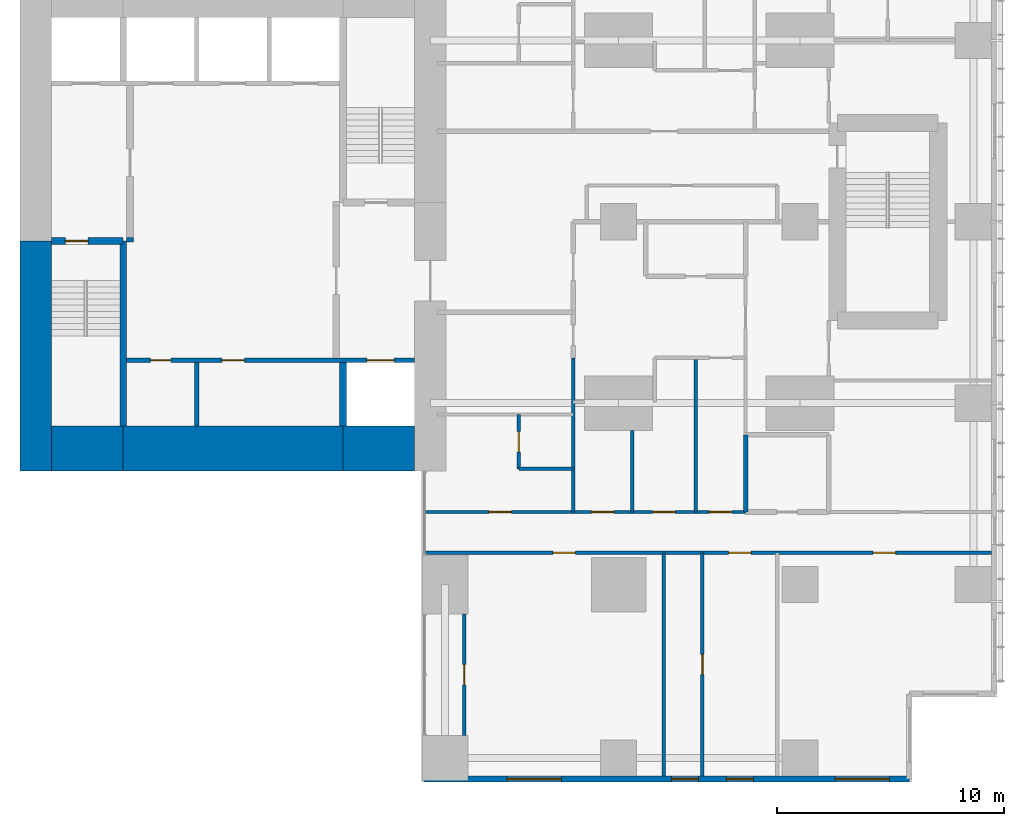
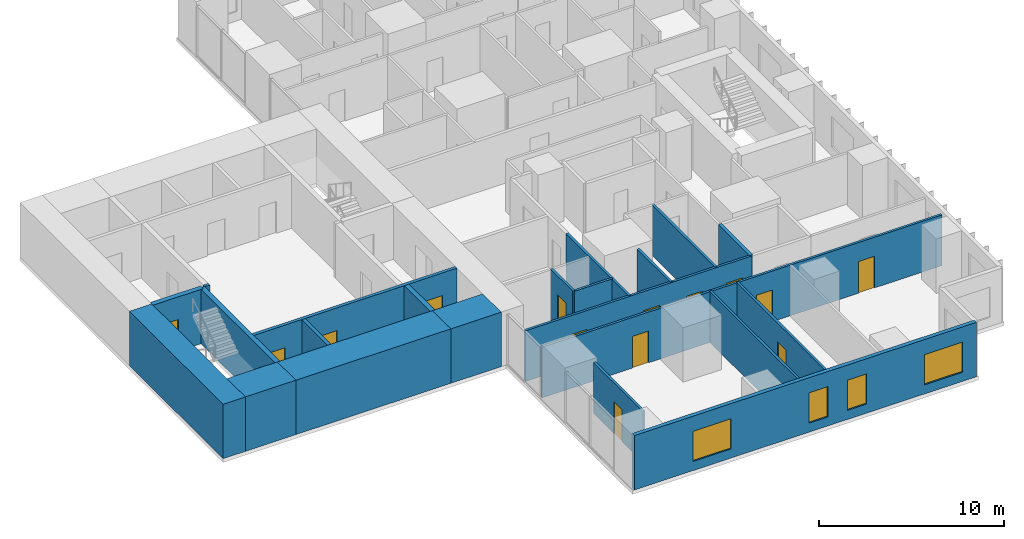
# One storey, part 7 of 12: 22 walls, 14 doors, 4 windows, 18 openings.
"""IFC4 building model written with IfcOpenShell, lengths in metres."""

from ifc_helpers import new_model, si_unit, direction, frame, frame_2d, origin, place, context, subcontext, project, spatial, rectangle, extrude, material, layer, layer_set, type_object, element, fill, save


model = new_model("IFC4")

# Units and contexts
model_context = context("Model", 3, precision=1e-05, world=origin(), true_north=direction((0.0, 1.0)))
body_context = subcontext(model_context, "Body", "Model", "MODEL_VIEW")
ifc_project = project(units=[si_unit("LENGTHUNIT", "METRE"), si_unit("AREAUNIT", "SQUARE_METRE"), si_unit("VOLUMEUNIT", "CUBIC_METRE"), si_unit("PLANEANGLEUNIT", "RADIAN"), si_unit("MASSUNIT", "GRAM", prefix="KILO")], contexts=[model_context])

# Site, building, storey
site_placement = place(None, origin())
site = spatial("IfcSite", under=ifc_project, at=site_placement, CompositionType="ELEMENT")
building_placement = place(site_placement, origin())
building = spatial("IfcBuilding", under=site, at=building_placement, Name="Cleftline Residences", CompositionType="ELEMENT")
storey_placement = place(building_placement, frame((0.0, 0.0, 252.0)))
storey = spatial("IfcBuildingStorey", under=building, at=storey_placement, Name="L66", CompositionType="ELEMENT", Elevation=252.0)

# Walls
ifc_material_1 = material(Name="Concrete B70", Category="concrete")
ifc_layer_1 = layer(ifc_material_1, 1.39990234375)
ifc_layer_set_1 = layer_set([ifc_layer_1], Name="CORE WALL 1400")
wall_type_1 = type_object("IfcWallType", Name="CORE WALL 1400", PredefinedType="SHEAR", material=ifc_layer_set_1)
wall_1_placement = place(storey_placement, frame((24.300048828125, 13.0, 0.0), z_axis=(0.0, 0.0, 1.0), x_axis=(0.0, 1.0, 0.0)))
element("IfcWall", 1, at=wall_1_placement, inside=storey, type_object=wall_type_1, Name="Core wall W0", PredefinedType="SHEAR", context=body_context, shape_type="SweptSolid", body=[
    extrude(rectangle(XDim=10.14990234375, YDim=1.39990234375, at=frame_2d((5.074951171875, 0.0))), origin(), (0.0, 0.0, 1.0), 3.60009765625),
])
ifc_material_2 = material(Name="Concrete B70", Category="concrete")
ifc_layer_2 = layer(ifc_material_2, 2.0)
ifc_layer_set_2 = layer_set([ifc_layer_2], Name="CORE WALL 2000")
wall_type_2 = type_object("IfcWallType", Name="CORE WALL 2000", PredefinedType="SHEAR", material=ifc_layer_set_2)
wall_2_placement = place(storey_placement, frame((25.0, 14.0, 0.0), z_axis=(0.0, 0.0, 1.0), x_axis=(1.0, 0.0, 0.0)))
element("IfcWall", 2, at=wall_2_placement, inside=storey, type_object=wall_type_2, Name="Core wall S1", PredefinedType="SHEAR", context=body_context, shape_type="SweptSolid", body=[
    extrude(rectangle(XDim=3.14990234375, YDim=2.0, at=frame_2d((1.574951171875, 0.0))), origin(), (0.0, 0.0, 1.0), 3.60009765625),
])
wall_3_placement = place(storey_placement, frame((28.14990234375, 14.0, 0.0), z_axis=(0.0, 0.0, 1.0), x_axis=(1.0, 0.0, 0.0)))
element("IfcWall", 3, at=wall_3_placement, inside=storey, type_object=wall_type_2, Name="Core wall S2", PredefinedType="SHEAR", context=body_context, shape_type="SweptSolid", body=[
    extrude(rectangle(XDim=9.7001953125, YDim=2.0, at=frame_2d((4.85009765625, 0.0))), origin(), (0.0, 0.0, 1.0), 3.60009765625),
])
wall_4_placement = place(storey_placement, frame((37.85009765625, 14.0, 0.0), z_axis=(0.0, 0.0, 1.0), x_axis=(1.0, 0.0, 0.0)))
element("IfcWall", 4, at=wall_4_placement, inside=storey, type_object=wall_type_2, Name="Core wall S3", PredefinedType="SHEAR", context=body_context, shape_type="SweptSolid", body=[
    extrude(rectangle(XDim=3.14990234375, YDim=2.0, at=frame_2d((1.574951171875, 0.0))), origin(), (0.0, 0.0, 1.0), 3.60009765625),
])
ifc_material_3 = material(Name="Concrete B70", Category="concrete")
ifc_layer_3 = layer(ifc_material_3, 0.300048828125)
ifc_layer_set_3 = layer_set([ifc_layer_3], Name="CORE WALL 300")
wall_type_3 = type_object("IfcWallType", Name="CORE WALL 300", PredefinedType="SHEAR", material=ifc_layer_set_3)
wall_5_placement = place(storey_placement, frame((28.14990234375, 15.0, 0.0), z_axis=(0.0, 0.0, 1.0), x_axis=(0.0, 1.0, 0.0)))
element("IfcWall", 5, at=wall_5_placement, inside=storey, type_object=wall_type_3, Name="Core wall SA-E", PredefinedType="SHEAR", context=body_context, shape_type="SweptSolid", body=[
    extrude(rectangle(XDim=8.14990234375, YDim=0.300048828125, at=frame_2d((4.074951171875, 0.0))), origin(), (0.0, 0.0, 1.0), 3.60009765625),
])

# Wall, opening, door
wall_6_placement = place(storey_placement, frame((25.0, 23.14990234375, 0.0), z_axis=(0.0, 0.0, 1.0), x_axis=(1.0, 0.0, 0.0)))
wall_6 = element("IfcWall", 6, at=wall_6_placement, inside=storey, type_object=wall_type_3, Name="Core wall SA-N", PredefinedType="SHEAR", context=body_context, shape_type="SweptSolid", body=[
    extrude(rectangle(XDim=3.14990234375, YDim=0.300048828125, at=frame_2d((1.574951171875, 0.0))), origin(), (0.0, 0.0, 1.0), 3.60009765625),
])
opening_1_placement = place(wall_6_placement, frame((0.60009765625, 0.0, 0.0)))
opening_1 = element("IfcOpeningElement", 7, at=opening_1_placement, cuts=wall_6, Name="Opening D5", PredefinedType="OPENING", context=body_context, shape_type="SweptSolid", body=[
    extrude(rectangle(XDim=1.0, YDim=2.10009765625, at=frame_2d((0.5, 1.050048828125))), frame((0.0, 0.159912109375, 0.0), z_axis=(0.0, -1.0, 0.0), x_axis=(1.0, 0.0, 0.0)), (0.0, 0.0, 1.0), 0.320068359375),
])
ifc_material_4 = material(Name="Steel", Category="steel")
door_type_1 = type_object("IfcDoorType", Name="STAIR DOOR 1000X2100", OperationType="SINGLE_SWING_LEFT", PredefinedType="DOOR", material=ifc_material_4)
door_1_placement = place(opening_1_placement, origin())
door_1 = element("IfcDoor", 8, at=door_1_placement, inside=storey, type_object=door_type_1, Name="Stair A door", OperationType="SINGLE_SWING_RIGHT", OverallHeight=2.10009765625, OverallWidth=1.0, PredefinedType="DOOR", context=body_context, shape_type="SweptSolid", body=[
    extrude(rectangle(XDim=1.0, YDim=2.10009765625, at=frame_2d((0.5, 1.050048828125))), frame((0.0, 0.02490234375, 0.0), z_axis=(0.0, -1.0, 0.0), x_axis=(1.0, 0.0, 0.0)), (0.0, 0.0, 1.0), 0.050048828125),
])
fill(opening_1, door_1)

# Wall
wall_7_placement = place(storey_placement, frame((37.85009765625, 15.0, 0.0), z_axis=(0.0, 0.0, 1.0), x_axis=(0.0, 1.0, 0.0)))
element("IfcWall", 9, at=wall_7_placement, inside=storey, type_object=wall_type_3, Name="Lift shaft wall", PredefinedType="SHEAR", context=body_context, shape_type="SweptSolid", body=[
    extrude(rectangle(XDim=2.800048828125, YDim=0.300048828125, at=frame_2d((1.39990234375, 0.0))), origin(), (0.0, 0.0, 1.0), 3.60009765625),
])

# Wall, openings, windows
ifc_material_5 = material(Name="Rendered reinforced concrete blockwork", Category="masonry")
ifc_layer_4 = layer(ifc_material_5, 0.25)
ifc_layer_set_4 = layer_set([ifc_layer_4], Name="EXTERNAL WALL 250")
wall_type_4 = type_object("IfcWallType", Name="EXTERNAL WALL 250", PredefinedType="SOLIDWALL", material=ifc_layer_set_4)
wall_8_placement = place(storey_placement, frame((41.425048828125, -0.574951171875, 0.0), z_axis=(0.0, 0.0, 1.0), x_axis=(1.0, 0.0, 0.0)))
wall_8 = element("IfcWall", 10, at=wall_8_placement, inside=storey, type_object=wall_type_4, Name="External wall", PredefinedType="SOLIDWALL", context=body_context, shape_type="SweptSolid", body=[
    extrude(rectangle(XDim=21.39990234375, YDim=0.25, at=frame_2d((10.699951171875, 0.0))), origin(), (0.0, 0.0, 1.0), 3.60009765625),
])
opening_2_placement = place(wall_8_placement, frame((3.64990234375, 0.0, 0.60009765625)))
opening_2 = element("IfcOpeningElement", 11, at=opening_2_placement, cuts=wall_8, Name="Opening W6", PredefinedType="OPENING", context=body_context, shape_type="SweptSolid", body=[
    extrude(rectangle(XDim=2.39990234375, YDim=2.0, at=frame_2d((1.199951171875, 1.0))), frame((0.0, 0.135009765625, 0.0), z_axis=(0.0, -1.0, 0.0), x_axis=(1.0, 0.0, 0.0)), (0.0, 0.0, 1.0), 0.27001953125),
])
opening_3_placement = place(wall_8_placement, frame((10.89990234375, 0.0, 0.60009765625)))
opening_3 = element("IfcOpeningElement", 12, at=opening_3_placement, cuts=wall_8, Name="Opening W8", PredefinedType="OPENING", context=body_context, shape_type="SweptSolid", body=[
    extrude(rectangle(XDim=1.199951171875, YDim=2.0, at=frame_2d((0.60009765625, 1.0))), frame((0.0, 0.135009765625, 0.0), z_axis=(0.0, -1.0, 0.0), x_axis=(1.0, 0.0, 0.0)), (0.0, 0.0, 1.0), 0.27001953125),
])
opening_4_placement = place(wall_8_placement, frame((13.324951171875, 0.0, 0.60009765625)))
opening_4 = element("IfcOpeningElement", 13, at=opening_4_placement, cuts=wall_8, Name="Opening W8", PredefinedType="OPENING", context=body_context, shape_type="SweptSolid", body=[
    extrude(rectangle(XDim=1.199951171875, YDim=2.0, at=frame_2d((0.60009765625, 1.0))), frame((0.0, 0.135009765625, 0.0), z_axis=(0.0, -1.0, 0.0), x_axis=(1.0, 0.0, 0.0)), (0.0, 0.0, 1.0), 0.27001953125),
])
opening_5_placement = place(wall_8_placement, frame((18.125, 0.0, 0.60009765625)))
opening_5 = element("IfcOpeningElement", 14, at=opening_5_placement, cuts=wall_8, Name="Opening W6", PredefinedType="OPENING", context=body_context, shape_type="SweptSolid", body=[
    extrude(rectangle(XDim=2.39990234375, YDim=2.0, at=frame_2d((1.199951171875, 1.0))), frame((0.0, 0.135009765625, 0.0), z_axis=(0.0, -1.0, 0.0), x_axis=(1.0, 0.0, 0.0)), (0.0, 0.0, 1.0), 0.27001953125),
])
ifc_material_6 = material(Name="Aluminium frame, clear double glazing", Category="aluminium")
window_type_1 = type_object("IfcWindowType", Name="WINDOW 1200X2000", PartitioningType="DOUBLE_PANEL_VERTICAL", PredefinedType="WINDOW", material=ifc_material_6)
window_1_placement = place(opening_3_placement, origin())
window_1 = element("IfcWindow", 15, at=window_1_placement, inside=storey, type_object=window_type_1, Name="Window", OverallHeight=2.0, OverallWidth=1.199951171875, PartitioningType="SINGLE_PANEL", PredefinedType="WINDOW", context=body_context, shape_type="SweptSolid", body=[
    extrude(rectangle(XDim=1.199951171875, YDim=2.0, at=frame_2d((0.60009765625, 1.0))), frame((0.0, 0.030029296875, 0.0), z_axis=(0.0, -1.0, 0.0), x_axis=(1.0, 0.0, 0.0)), (0.0, 0.0, 1.0), 0.06005859375),
])
fill(opening_3, window_1)
window_2_placement = place(opening_4_placement, origin())
window_2 = element("IfcWindow", 16, at=window_2_placement, inside=storey, type_object=window_type_1, Name="Window", OverallHeight=2.0, OverallWidth=1.199951171875, PartitioningType="SINGLE_PANEL", PredefinedType="WINDOW", context=body_context, shape_type="SweptSolid", body=[
    extrude(rectangle(XDim=1.199951171875, YDim=2.0, at=frame_2d((0.60009765625, 1.0))), frame((0.0, 0.030029296875, 0.0), z_axis=(0.0, -1.0, 0.0), x_axis=(1.0, 0.0, 0.0)), (0.0, 0.0, 1.0), 0.06005859375),
])
fill(opening_4, window_2)
ifc_material_7 = material(Name="Aluminium frame, clear double glazing", Category="aluminium")
window_type_2 = type_object("IfcWindowType", Name="WINDOW 2400X2000", PartitioningType="DOUBLE_PANEL_VERTICAL", PredefinedType="WINDOW", material=ifc_material_7)
window_3_placement = place(opening_2_placement, origin())
window_3 = element("IfcWindow", 17, at=window_3_placement, inside=storey, type_object=window_type_2, Name="Window", OverallHeight=2.0, OverallWidth=2.39990234375, PartitioningType="SINGLE_PANEL", PredefinedType="WINDOW", context=body_context, shape_type="SweptSolid", body=[
    extrude(rectangle(XDim=2.39990234375, YDim=2.0, at=frame_2d((1.199951171875, 1.0))), frame((0.0, 0.030029296875, 0.0), z_axis=(0.0, -1.0, 0.0), x_axis=(1.0, 0.0, 0.0)), (0.0, 0.0, 1.0), 0.06005859375),
])
fill(opening_2, window_3)
window_4_placement = place(opening_5_placement, origin())
window_4 = element("IfcWindow", 18, at=window_4_placement, inside=storey, type_object=window_type_2, Name="Window", OverallHeight=2.0, OverallWidth=2.39990234375, PartitioningType="SINGLE_PANEL", PredefinedType="WINDOW", context=body_context, shape_type="SweptSolid", body=[
    extrude(rectangle(XDim=2.39990234375, YDim=2.0, at=frame_2d((1.199951171875, 1.0))), frame((0.0, 0.030029296875, 0.0), z_axis=(0.0, -1.0, 0.0), x_axis=(1.0, 0.0, 0.0)), (0.0, 0.0, 1.0), 0.06005859375),
])
fill(opening_5, window_4)

# Walls
ifc_material_8 = material(Name="Concrete blockwork, fire rated", Category="masonry")
ifc_layer_5 = layer(ifc_material_8, 0.199951171875)
ifc_layer_set_5 = layer_set([ifc_layer_5], Name="FIRE WALL 200")
wall_type_5 = type_object("IfcWallType", Name="FIRE WALL 200", PredefinedType="PARTITIONING", material=ifc_layer_set_5)
wall_9_placement = place(storey_placement, frame((55.60009765625, 11.199951171875, 0.0), z_axis=(0.0, 0.0, 1.0), x_axis=(0.0, 1.0, 0.0)))
element("IfcWall", 19, at=wall_9_placement, inside=storey, type_object=wall_type_5, Name="Fire separating wall", PredefinedType="PARTITIONING", context=body_context, shape_type="SweptSolid", body=[
    extrude(rectangle(XDim=3.400146484375, YDim=0.199951171875, at=frame_2d((1.7001953125, 0.0))), origin(), (0.0, 0.0, 1.0), 3.35009765625),
])
wall_10_placement = place(storey_placement, frame((28.300048828125, 23.199951171875, 0.0), z_axis=(0.0, 0.0, 1.0), x_axis=(1.0, 0.0, 0.0)))
element("IfcWall", 20, at=wall_10_placement, inside=storey, type_object=wall_type_5, Name="Fire separating wall", PredefinedType="PARTITIONING", context=body_context, shape_type="SweptSolid", body=[
    extrude(rectangle(XDim=0.300048828125, YDim=0.199951171875, at=frame_2d((0.14990234375, 0.0))), origin(), (0.0, 0.0, 1.0), 3.60009765625),
])

# Wall, openings, doors
ifc_material_9 = material(Name="Gypsum board on steel studs", Category="steel")
ifc_layer_6 = layer(ifc_material_9, 0.14990234375)
ifc_layer_set_6 = layer_set([ifc_layer_6], Name="PARTITION 150")
wall_type_6 = type_object("IfcWallType", Name="PARTITION 150", PredefinedType="PARTITIONING", material=ifc_layer_set_6)
wall_11_placement = place(storey_placement, frame((41.43896484375, 9.39990234375, 0.0), z_axis=(0.0, 0.0, 1.0), x_axis=(1.0, 0.0, 0.0)))
wall_11 = element("IfcWall", 21, at=wall_11_placement, inside=storey, type_object=wall_type_6, Name="Partition", PredefinedType="PARTITIONING", context=body_context, shape_type="SweptSolid", body=[
    extrude(rectangle(XDim=25.010986328125, YDim=0.14990234375, at=frame_2d((12.50537109375, 0.0))), origin(), (0.0, 0.0, 1.0), 3.35009765625),
])
opening_6_placement = place(wall_11_placement, frame((19.785888671875, 0.0, 0.0)))
opening_6 = element("IfcOpeningElement", 22, at=opening_6_placement, cuts=wall_11, Name="Opening D2", PredefinedType="OPENING", context=body_context, shape_type="SweptSolid", body=[
    extrude(rectangle(XDim=1.0, YDim=2.10009765625, at=frame_2d((0.5, 1.050048828125))), frame((0.0, 0.0849609375, 0.0), z_axis=(0.0, -1.0, 0.0), x_axis=(1.0, 0.0, 0.0)), (0.0, 0.0, 1.0), 0.169921875),
])
opening_7_placement = place(wall_11_placement, frame((13.410888671875, 0.0, 0.0)))
opening_7 = element("IfcOpeningElement", 23, at=opening_7_placement, cuts=wall_11, Name="Opening D2", PredefinedType="OPENING", context=body_context, shape_type="SweptSolid", body=[
    extrude(rectangle(XDim=1.0, YDim=2.10009765625, at=frame_2d((0.5, 1.050048828125))), frame((0.0, 0.0849609375, 0.0), z_axis=(0.0, -1.0, 0.0), x_axis=(1.0, 0.0, 0.0)), (0.0, 0.0, 1.0), 0.169921875),
])
opening_8_placement = place(wall_11_placement, frame((5.660888671875, 0.0, 0.0)))
opening_8 = element("IfcOpeningElement", 24, at=opening_8_placement, cuts=wall_11, Name="Opening D2", PredefinedType="OPENING", context=body_context, shape_type="SweptSolid", body=[
    extrude(rectangle(XDim=1.0, YDim=2.10009765625, at=frame_2d((0.5, 1.050048828125))), frame((0.0, 0.0849609375, 0.0), z_axis=(0.0, -1.0, 0.0), x_axis=(1.0, 0.0, 0.0)), (0.0, 0.0, 1.0), 0.169921875),
])
ifc_material_10 = material(Name="Timber veneer on solid core", Category="wood")
door_type_2 = type_object("IfcDoorType", Name="DOOR 1000X2100", OperationType="SINGLE_SWING_LEFT", PredefinedType="DOOR", material=ifc_material_10)
door_2_placement = place(opening_6_placement, origin())
door_2 = element("IfcDoor", 25, at=door_2_placement, inside=storey, type_object=door_type_2, Name="Door to sea-view dining room", OperationType="SINGLE_SWING_LEFT", OverallHeight=2.10009765625, OverallWidth=1.0, PredefinedType="DOOR", context=body_context, shape_type="SweptSolid", body=[
    extrude(rectangle(XDim=1.0, YDim=2.10009765625, at=frame_2d((0.5, 1.050048828125))), frame((0.0, 0.02490234375, 0.0), z_axis=(0.0, -1.0, 0.0), x_axis=(1.0, 0.0, 0.0)), (0.0, 0.0, 1.0), 0.050048828125),
])
fill(opening_6, door_2)
door_3_placement = place(opening_7_placement, origin())
door_3 = element("IfcDoor", 26, at=door_3_placement, inside=storey, type_object=door_type_2, Name="Door to show kitchen", OperationType="SINGLE_SWING_LEFT", OverallHeight=2.10009765625, OverallWidth=1.0, PredefinedType="DOOR", context=body_context, shape_type="SweptSolid", body=[
    extrude(rectangle(XDim=1.0, YDim=2.10009765625, at=frame_2d((0.5, 1.050048828125))), frame((0.0, 0.02490234375, 0.0), z_axis=(0.0, -1.0, 0.0), x_axis=(1.0, 0.0, 0.0)), (0.0, 0.0, 1.0), 0.050048828125),
])
fill(opening_7, door_3)
door_4_placement = place(opening_8_placement, origin())
door_4 = element("IfcDoor", 27, at=door_4_placement, inside=storey, type_object=door_type_2, Name="Door to family room", OperationType="SINGLE_SWING_RIGHT", OverallHeight=2.10009765625, OverallWidth=1.0, PredefinedType="DOOR", context=body_context, shape_type="SweptSolid", body=[
    extrude(rectangle(XDim=1.0, YDim=2.10009765625, at=frame_2d((0.5, 1.050048828125))), frame((0.0, 0.02490234375, 0.0), z_axis=(0.0, -1.0, 0.0), x_axis=(1.0, 0.0, 0.0)), (0.0, 0.0, 1.0), 0.050048828125),
])
fill(opening_8, door_4)

wall_12_placement = place(storey_placement, frame((41.43896484375, 11.199951171875, 0.0), z_axis=(0.0, 0.0, 1.0), x_axis=(1.0, 0.0, 0.0)))
wall_12 = element("IfcWall", 28, at=wall_12_placement, inside=storey, type_object=wall_type_6, Name="Partition", PredefinedType="PARTITIONING", context=body_context, shape_type="SweptSolid", body=[
    extrude(rectangle(XDim=14.1611328125, YDim=0.14990234375, at=frame_2d((7.08056640625, 0.0))), origin(), (0.0, 0.0, 1.0), 3.35009765625),
])
opening_9_placement = place(wall_12_placement, frame((12.56103515625, 0.0, 0.0)))
opening_9 = element("IfcOpeningElement", 29, at=opening_9_placement, cuts=wall_12, Name="Opening D2F30", PredefinedType="OPENING", context=body_context, shape_type="SweptSolid", body=[
    extrude(rectangle(XDim=1.0, YDim=2.10009765625, at=frame_2d((0.5, 1.050048828125))), frame((0.0, 0.0849609375, 0.0), z_axis=(0.0, -1.0, 0.0), x_axis=(1.0, 0.0, 0.0)), (0.0, 0.0, 1.0), 0.169921875),
])
opening_10_placement = place(wall_12_placement, frame((10.06103515625, 0.0, 0.0)))
opening_10 = element("IfcOpeningElement", 30, at=opening_10_placement, cuts=wall_12, Name="Opening D2F30", PredefinedType="OPENING", context=body_context, shape_type="SweptSolid", body=[
    extrude(rectangle(XDim=1.0, YDim=2.10009765625, at=frame_2d((0.5, 1.050048828125))), frame((0.0, 0.0849609375, 0.0), z_axis=(0.0, -1.0, 0.0), x_axis=(1.0, 0.0, 0.0)), (0.0, 0.0, 1.0), 0.169921875),
])
opening_11_placement = place(wall_12_placement, frame((7.361083984375, 0.0, 0.0)))
opening_11 = element("IfcOpeningElement", 31, at=opening_11_placement, cuts=wall_12, Name="Opening D2F30", PredefinedType="OPENING", context=body_context, shape_type="SweptSolid", body=[
    extrude(rectangle(XDim=1.0, YDim=2.10009765625, at=frame_2d((0.5, 1.050048828125))), frame((0.0, 0.0849609375, 0.0), z_axis=(0.0, -1.0, 0.0), x_axis=(1.0, 0.0, 0.0)), (0.0, 0.0, 1.0), 0.169921875),
])
opening_12_placement = place(wall_12_placement, frame((2.8359375, 0.0, 0.0)))
opening_12 = element("IfcOpeningElement", 32, at=opening_12_placement, cuts=wall_12, Name="Opening D2F30", PredefinedType="OPENING", context=body_context, shape_type="SweptSolid", body=[
    extrude(rectangle(XDim=1.0, YDim=2.10009765625, at=frame_2d((0.5, 1.050048828125))), frame((0.0, 0.0849609375, 0.0), z_axis=(0.0, -1.0, 0.0), x_axis=(1.0, 0.0, 0.0)), (0.0, 0.0, 1.0), 0.169921875),
])
ifc_material_11 = material(Name="Timber veneer on solid core", Category="wood")
door_type_3 = type_object("IfcDoorType", Name="DOOR 1000X2100 EI 30", OperationType="SINGLE_SWING_LEFT", PredefinedType="DOOR", material=ifc_material_11)
door_5_placement = place(opening_9_placement, origin())
door_5 = element("IfcDoor", 33, at=door_5_placement, inside=storey, type_object=door_type_3, Name="Door to residence hall (gallery)", OperationType="SINGLE_SWING_LEFT", OverallHeight=2.10009765625, OverallWidth=1.0, PredefinedType="DOOR", context=body_context, shape_type="SweptSolid", body=[
    extrude(rectangle(XDim=1.0, YDim=2.10009765625, at=frame_2d((0.5, 1.050048828125))), frame((0.0, 0.02490234375, 0.0), z_axis=(0.0, -1.0, 0.0), x_axis=(1.0, 0.0, 0.0)), (0.0, 0.0, 1.0), 0.050048828125),
])
fill(opening_9, door_5)
door_6_placement = place(opening_10_placement, origin())
door_6 = element("IfcDoor", 34, at=door_6_placement, inside=storey, type_object=door_type_3, Name="Door to wet kitchen", OperationType="SINGLE_SWING_LEFT", OverallHeight=2.10009765625, OverallWidth=1.0, PredefinedType="DOOR", context=body_context, shape_type="SweptSolid", body=[
    extrude(rectangle(XDim=1.0, YDim=2.10009765625, at=frame_2d((0.5, 1.050048828125))), frame((0.0, 0.02490234375, 0.0), z_axis=(0.0, -1.0, 0.0), x_axis=(1.0, 0.0, 0.0)), (0.0, 0.0, 1.0), 0.050048828125),
])
fill(opening_10, door_6)
door_7_placement = place(opening_11_placement, origin())
door_7 = element("IfcDoor", 35, at=door_7_placement, inside=storey, type_object=door_type_3, Name="Door to library", OperationType="SINGLE_SWING_LEFT", OverallHeight=2.10009765625, OverallWidth=1.0, PredefinedType="DOOR", context=body_context, shape_type="SweptSolid", body=[
    extrude(rectangle(XDim=1.0, YDim=2.10009765625, at=frame_2d((0.5, 1.050048828125))), frame((0.0, 0.02490234375, 0.0), z_axis=(0.0, -1.0, 0.0), x_axis=(1.0, 0.0, 0.0)), (0.0, 0.0, 1.0), 0.050048828125),
])
fill(opening_11, door_7)
door_8_placement = place(opening_12_placement, origin())
door_8 = element("IfcDoor", 36, at=door_8_placement, inside=storey, type_object=door_type_3, Name="Door to staff bedroom", OperationType="SINGLE_SWING_RIGHT", OverallHeight=2.10009765625, OverallWidth=1.0, PredefinedType="DOOR", context=body_context, shape_type="SweptSolid", body=[
    extrude(rectangle(XDim=1.0, YDim=2.10009765625, at=frame_2d((0.5, 1.050048828125))), frame((0.0, 0.02490234375, 0.0), z_axis=(0.0, -1.0, 0.0), x_axis=(1.0, 0.0, 0.0)), (0.0, 0.0, 1.0), 0.050048828125),
])
fill(opening_12, door_8)

# Wall
wall_13_placement = place(storey_placement, frame((45.60009765625, 13.10009765625, 0.0), z_axis=(0.0, 0.0, 1.0), x_axis=(1.0, 0.0, 0.0)))
element("IfcWall", 37, at=wall_13_placement, inside=storey, type_object=wall_type_6, Name="Partition", PredefinedType="PARTITIONING", context=body_context, shape_type="SweptSolid", body=[
    extrude(rectangle(XDim=2.39990234375, YDim=0.14990234375, at=frame_2d((1.199951171875, 0.0))), origin(), (0.0, 0.0, 1.0), 3.35009765625),
])

# Wall, opening, door
wall_14_placement = place(storey_placement, frame((43.199951171875, 1.35009765625, 0.0), z_axis=(0.0, 0.0, 1.0), x_axis=(0.0, 1.0, 0.0)))
wall_14 = element("IfcWall", 38, at=wall_14_placement, inside=storey, type_object=wall_type_6, Name="Partition", PredefinedType="PARTITIONING", context=body_context, shape_type="SweptSolid", body=[
    extrude(rectangle(XDim=5.349853515625, YDim=0.14990234375, at=frame_2d((2.6748046875, 0.0))), origin(), (0.0, 0.0, 1.0), 3.35009765625),
])
opening_13_placement = place(wall_14_placement, frame((2.22509765625, 0.0, 0.0)))
opening_13 = element("IfcOpeningElement", 39, at=opening_13_placement, cuts=wall_14, Name="Opening D1", PredefinedType="OPENING", context=body_context, shape_type="SweptSolid", body=[
    extrude(rectangle(XDim=0.89990234375, YDim=2.10009765625, at=frame_2d((0.449951171875, 1.050048828125))), frame((0.0, 0.0849609375, 0.0), z_axis=(0.0, -1.0, 0.0), x_axis=(1.0, 0.0, 0.0)), (0.0, 0.0, 1.0), 0.169921875),
])
ifc_material_12 = material(Name="Timber veneer on solid core", Category="wood")
door_type_4 = type_object("IfcDoorType", Name="DOOR 900X2100", OperationType="SINGLE_SWING_LEFT", PredefinedType="DOOR", material=ifc_material_12)
door_9_placement = place(opening_13_placement, origin())
door_9 = element("IfcDoor", 40, at=door_9_placement, inside=storey, type_object=door_type_4, Name="Door to library", OperationType="SINGLE_SWING_LEFT", OverallHeight=2.10009765625, OverallWidth=0.89990234375, PredefinedType="DOOR", context=body_context, shape_type="SweptSolid", body=[
    extrude(rectangle(XDim=0.89990234375, YDim=2.10009765625, at=frame_2d((0.449951171875, 1.050048828125))), frame((0.0, 0.02490234375, 0.0), z_axis=(0.0, -1.0, 0.0), x_axis=(1.0, 0.0, 0.0)), (0.0, 0.0, 1.0), 0.050048828125),
])
fill(opening_13, door_9)

wall_15_placement = place(storey_placement, frame((45.60009765625, 13.10009765625, 0.0), z_axis=(0.0, 0.0, 1.0), x_axis=(0.0, 1.0, 0.0)))
wall_15 = element("IfcWall", 41, at=wall_15_placement, inside=storey, type_object=wall_type_6, Name="Partition", PredefinedType="PARTITIONING", context=body_context, shape_type="SweptSolid", body=[
    extrude(rectangle(XDim=2.39990234375, YDim=0.14990234375, at=frame_2d((1.199951171875, 0.0))), origin(), (0.0, 0.0, 1.0), 3.35009765625),
])
opening_14_placement = place(wall_15_placement, frame((0.75, 0.0, 0.0)))
opening_14 = element("IfcOpeningElement", 42, at=opening_14_placement, cuts=wall_15, Name="Opening D1", PredefinedType="OPENING", context=body_context, shape_type="SweptSolid", body=[
    extrude(rectangle(XDim=0.89990234375, YDim=2.10009765625, at=frame_2d((0.449951171875, 1.050048828125))), frame((0.0, 0.0849609375, 0.0), z_axis=(0.0, -1.0, 0.0), x_axis=(1.0, 0.0, 0.0)), (0.0, 0.0, 1.0), 0.169921875),
])
door_10_placement = place(opening_14_placement, origin())
door_10 = element("IfcDoor", 43, at=door_10_placement, inside=storey, type_object=door_type_4, Name="Door to staff shower room", OperationType="SINGLE_SWING_LEFT", OverallHeight=2.10009765625, OverallWidth=0.89990234375, PredefinedType="DOOR", context=body_context, shape_type="SweptSolid", body=[
    extrude(rectangle(XDim=0.89990234375, YDim=2.10009765625, at=frame_2d((0.449951171875, 1.050048828125))), frame((0.0, 0.02490234375, 0.0), z_axis=(0.0, -1.0, 0.0), x_axis=(1.0, 0.0, 0.0)), (0.0, 0.0, 1.0), 0.050048828125),
])
fill(opening_14, door_10)

# Walls
wall_16_placement = place(storey_placement, frame((48.0, 11.199951171875, 0.0), z_axis=(0.0, 0.0, 1.0), x_axis=(0.0, 1.0, 0.0)))
element("IfcWall", 44, at=wall_16_placement, inside=storey, type_object=wall_type_6, Name="Partition", PredefinedType="PARTITIONING", context=body_context, shape_type="SweptSolid", body=[
    extrude(rectangle(XDim=6.800048828125, YDim=0.14990234375, at=frame_2d((3.39990234375, 0.0))), origin(), (0.0, 0.0, 1.0), 3.35009765625),
])
wall_17_placement = place(storey_placement, frame((50.60009765625, 11.199951171875, 0.0), z_axis=(0.0, 0.0, 1.0), x_axis=(0.0, 1.0, 0.0)))
element("IfcWall", 45, at=wall_17_placement, inside=storey, type_object=wall_type_6, Name="Partition", PredefinedType="PARTITIONING", context=body_context, shape_type="SweptSolid", body=[
    extrude(rectangle(XDim=3.60009765625, YDim=0.14990234375, at=frame_2d((1.800048828125, 0.0))), origin(), (0.0, 0.0, 1.0), 3.35009765625),
])
wall_18_placement = place(storey_placement, frame((52.0, -0.449951171875, 0.0), z_axis=(0.0, 0.0, 1.0), x_axis=(0.0, 1.0, 0.0)))
element("IfcWall", 46, at=wall_18_placement, inside=storey, type_object=wall_type_6, Name="Partition", PredefinedType="PARTITIONING", context=body_context, shape_type="SweptSolid", body=[
    extrude(rectangle(XDim=9.849853515625, YDim=0.14990234375, at=frame_2d((4.9248046875, 0.0))), origin(), (0.0, 0.0, 1.0), 3.35009765625),
])
wall_19_placement = place(storey_placement, frame((53.39990234375, 11.199951171875, 0.0), z_axis=(0.0, 0.0, 1.0), x_axis=(0.0, 1.0, 0.0)))
element("IfcWall", 47, at=wall_19_placement, inside=storey, type_object=wall_type_6, Name="Partition", PredefinedType="PARTITIONING", context=body_context, shape_type="SweptSolid", body=[
    extrude(rectangle(XDim=6.800048828125, YDim=0.14990234375, at=frame_2d((3.39990234375, 0.0))), origin(), (0.0, 0.0, 1.0), 3.35009765625),
])

# Wall, opening, door
wall_20_placement = place(storey_placement, frame((53.699951171875, -0.449951171875, 0.0), z_axis=(0.0, 0.0, 1.0), x_axis=(0.0, 1.0, 0.0)))
wall_20 = element("IfcWall", 48, at=wall_20_placement, inside=storey, type_object=wall_type_6, Name="Partition", PredefinedType="PARTITIONING", context=body_context, shape_type="SweptSolid", body=[
    extrude(rectangle(XDim=9.849853515625, YDim=0.14990234375, at=frame_2d((4.9248046875, 0.0))), origin(), (0.0, 0.0, 1.0), 3.35009765625),
])
opening_15_placement = place(wall_20_placement, frame((4.47509765625, 0.0, 0.0)))
opening_15 = element("IfcOpeningElement", 49, at=opening_15_placement, cuts=wall_20, Name="Opening D1", PredefinedType="OPENING", context=body_context, shape_type="SweptSolid", body=[
    extrude(rectangle(XDim=0.89990234375, YDim=2.10009765625, at=frame_2d((0.449951171875, 1.050048828125))), frame((0.0, 0.0849609375, 0.0), z_axis=(0.0, -1.0, 0.0), x_axis=(1.0, 0.0, 0.0)), (0.0, 0.0, 1.0), 0.169921875),
])
door_11_placement = place(opening_15_placement, origin())
door_11 = element("IfcDoor", 50, at=door_11_placement, inside=storey, type_object=door_type_4, Name="Door to larder", OperationType="SINGLE_SWING_LEFT", OverallHeight=2.10009765625, OverallWidth=0.89990234375, PredefinedType="DOOR", context=body_context, shape_type="SweptSolid", body=[
    extrude(rectangle(XDim=0.89990234375, YDim=2.10009765625, at=frame_2d((0.449951171875, 1.050048828125))), frame((0.0, 0.02490234375, 0.0), z_axis=(0.0, -1.0, 0.0), x_axis=(1.0, 0.0, 0.0)), (0.0, 0.0, 1.0), 0.050048828125),
])
fill(opening_15, door_11)

# Wall, openings, doors
ifc_material_13 = material(Name="Concrete blockwork, fire rated", Category="masonry")
ifc_layer_7 = layer(ifc_material_13, 0.199951171875)
ifc_layer_set_7 = layer_set([ifc_layer_7], Name="SHAFT WALL 200")
wall_type_7 = type_object("IfcWallType", Name="SHAFT WALL 200", PredefinedType="PARTITIONING", material=ifc_layer_set_7)
wall_21_placement = place(storey_placement, frame((28.300048828125, 17.89990234375, 0.0), z_axis=(0.0, 0.0, 1.0), x_axis=(1.0, 0.0, 0.0)))
wall_21 = element("IfcWall", 51, at=wall_21_placement, inside=storey, type_object=wall_type_7, Name="Core room wall", PredefinedType="PARTITIONING", context=body_context, shape_type="SweptSolid", body=[
    extrude(rectangle(XDim=12.699951171875, YDim=0.199951171875, at=frame_2d((6.35009765625, 0.0))), origin(), (0.0, 0.0, 1.0), 3.60009765625),
])
opening_16_placement = place(wall_21_placement, frame((1.050048828125, 0.0, 0.0)))
opening_16 = element("IfcOpeningElement", 52, at=opening_16_placement, cuts=wall_21, Name="Opening D1F30", PredefinedType="OPENING", context=body_context, shape_type="SweptSolid", body=[
    extrude(rectangle(XDim=0.89990234375, YDim=2.10009765625, at=frame_2d((0.449951171875, 1.050048828125))), frame((0.0, 0.10986328125, 0.0), z_axis=(0.0, -1.0, 0.0), x_axis=(1.0, 0.0, 0.0)), (0.0, 0.0, 1.0), 0.219970703125),
])
opening_17_placement = place(wall_21_placement, frame((4.199951171875, 0.0, 0.0)))
opening_17 = element("IfcOpeningElement", 53, at=opening_17_placement, cuts=wall_21, Name="Opening D2F60", PredefinedType="OPENING", context=body_context, shape_type="SweptSolid", body=[
    extrude(rectangle(XDim=1.0, YDim=2.10009765625, at=frame_2d((0.5, 1.050048828125))), frame((0.0, 0.10986328125, 0.0), z_axis=(0.0, -1.0, 0.0), x_axis=(1.0, 0.0, 0.0)), (0.0, 0.0, 1.0), 0.219970703125),
])
opening_18_placement = place(wall_21_placement, frame((10.60009765625, 0.0, 0.0)))
opening_18 = element("IfcOpeningElement", 54, at=opening_18_placement, cuts=wall_21, Name="Opening LD2", PredefinedType="OPENING", context=body_context, shape_type="SweptSolid", body=[
    extrude(rectangle(XDim=1.199951171875, YDim=2.10009765625, at=frame_2d((0.60009765625, 1.050048828125))), frame((0.0, 0.10986328125, 0.0), z_axis=(0.0, -1.0, 0.0), x_axis=(1.0, 0.0, 0.0)), (0.0, 0.0, 1.0), 0.219970703125),
])
ifc_material_14 = material(Name="Timber veneer on solid core", Category="wood")
door_type_5 = type_object("IfcDoorType", Name="DOOR 1000X2100 EI 60", OperationType="SINGLE_SWING_LEFT", PredefinedType="DOOR", material=ifc_material_14)
door_12_placement = place(opening_17_placement, origin())
door_12 = element("IfcDoor", 55, at=door_12_placement, inside=storey, type_object=door_type_5, Name="Door to communications room", OperationType="SINGLE_SWING_RIGHT", OverallHeight=2.10009765625, OverallWidth=1.0, PredefinedType="DOOR", context=body_context, shape_type="SweptSolid", body=[
    extrude(rectangle(XDim=1.0, YDim=2.10009765625, at=frame_2d((0.5, 1.050048828125))), frame((0.0, 0.02490234375, 0.0), z_axis=(0.0, -1.0, 0.0), x_axis=(1.0, 0.0, 0.0)), (0.0, 0.0, 1.0), 0.050048828125),
])
fill(opening_17, door_12)
ifc_material_15 = material(Name="Timber veneer on solid core", Category="wood")
door_type_6 = type_object("IfcDoorType", Name="DOOR 900X2100 EI 30", OperationType="SINGLE_SWING_LEFT", PredefinedType="DOOR", material=ifc_material_15)
door_13_placement = place(opening_16_placement, origin())
door_13 = element("IfcDoor", 56, at=door_13_placement, inside=storey, type_object=door_type_6, Name="Door to guest pantry", OperationType="SINGLE_SWING_RIGHT", OverallHeight=2.10009765625, OverallWidth=0.89990234375, PredefinedType="DOOR", context=body_context, shape_type="SweptSolid", body=[
    extrude(rectangle(XDim=0.89990234375, YDim=2.10009765625, at=frame_2d((0.449951171875, 1.050048828125))), frame((0.0, 0.02490234375, 0.0), z_axis=(0.0, -1.0, 0.0), x_axis=(1.0, 0.0, 0.0)), (0.0, 0.0, 1.0), 0.050048828125),
])
fill(opening_16, door_13)
ifc_material_16 = material(Name="Steel", Category="steel")
door_type_7 = type_object("IfcDoorType", Name="FIREFIGHTING LIFT LANDING DOOR 1200X2100", OperationType="SLIDING_TO_LEFT", PredefinedType="DOOR", material=ifc_material_16)
door_14_placement = place(opening_18_placement, origin())
door_14 = element("IfcDoor", 57, at=door_14_placement, inside=storey, type_object=door_type_7, Name="Lift FL2 landing door", OperationType="SLIDING_TO_LEFT", OverallHeight=2.10009765625, OverallWidth=1.199951171875, PredefinedType="DOOR", context=body_context, shape_type="SweptSolid", body=[
    extrude(rectangle(XDim=1.199951171875, YDim=2.10009765625, at=frame_2d((0.60009765625, 1.050048828125))), frame((0.0, 0.02490234375, 0.0), z_axis=(0.0, -1.0, 0.0), x_axis=(1.0, 0.0, 0.0)), (0.0, 0.0, 1.0), 0.050048828125),
])
fill(opening_18, door_14)

# Wall
wall_22_placement = place(storey_placement, frame((31.39990234375, 15.0, 0.0), z_axis=(0.0, 0.0, 1.0), x_axis=(0.0, 1.0, 0.0)))
element("IfcWall", 58, at=wall_22_placement, inside=storey, type_object=wall_type_7, Name="Core room wall", PredefinedType="PARTITIONING", context=body_context, shape_type="SweptSolid", body=[
    extrude(rectangle(XDim=2.800048828125, YDim=0.199951171875, at=frame_2d((1.39990234375, 0.0))), origin(), (0.0, 0.0, 1.0), 3.60009765625),
])

save(model, "model.ifc")
